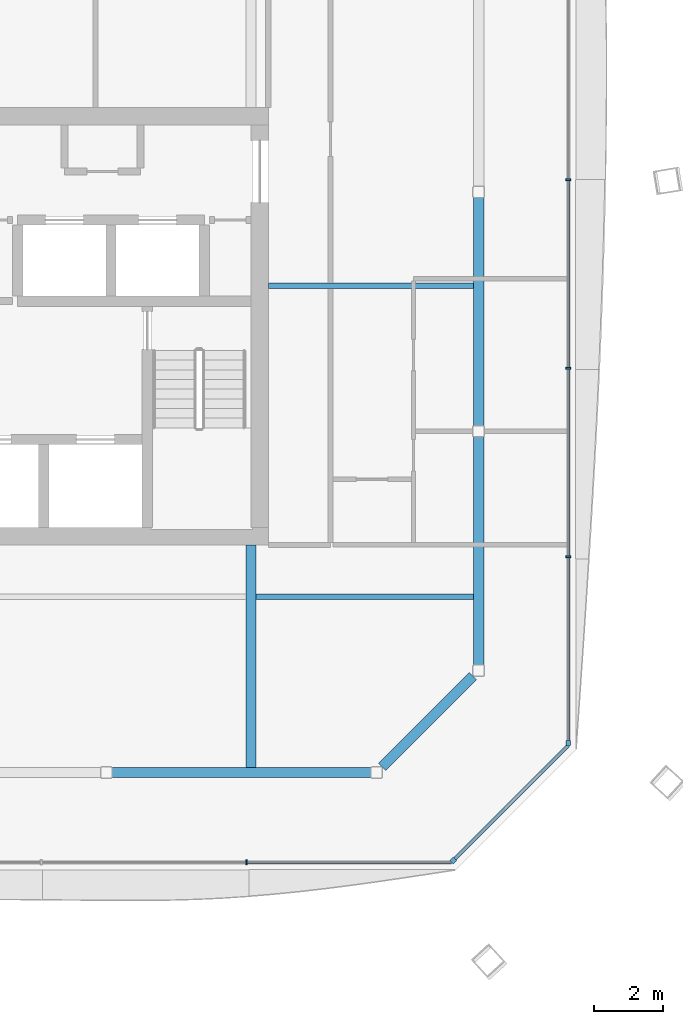
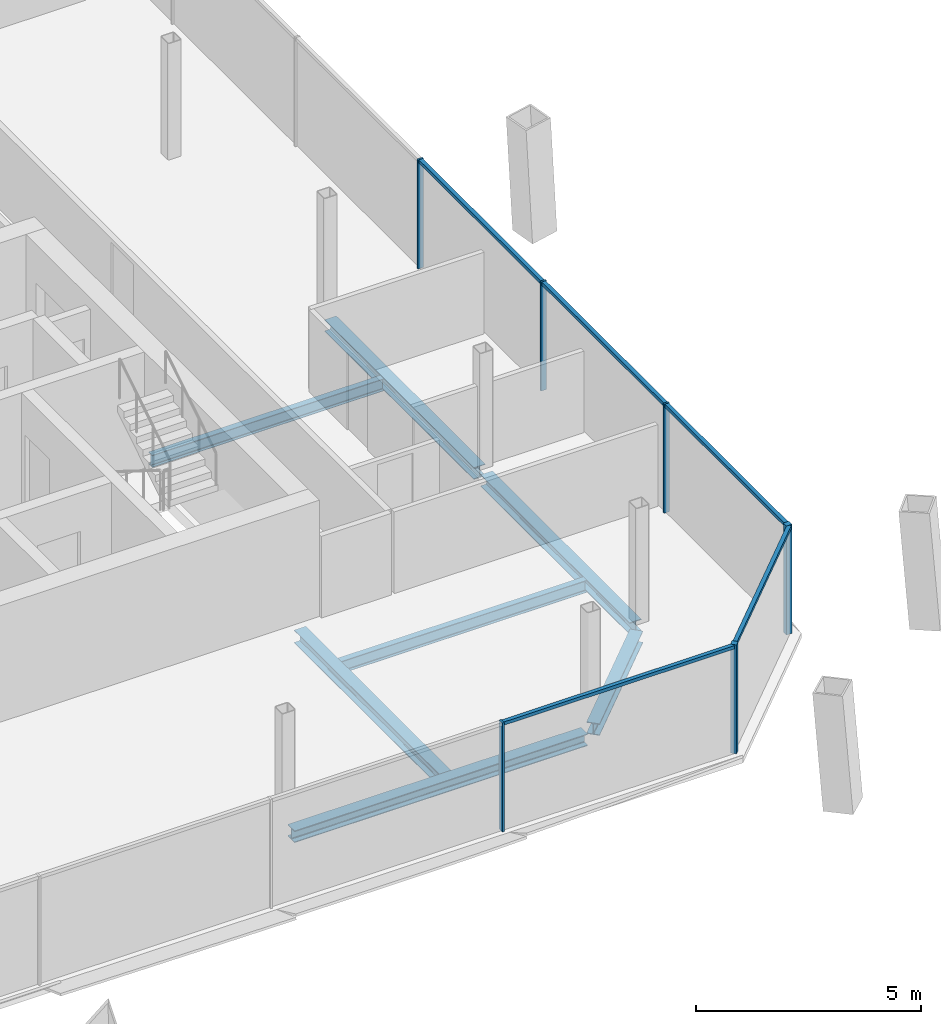
# One storey, part 8 of 20: 11 members, 7 beams, 3 elements without a shape of their own.
"""IFC4 building model written with IfcOpenShell, lengths in metres."""

from ifc_helpers import new_model, si_unit, direction, frame, origin, origin_2d, place, context, subcontext, project, spatial, rectangle, i_section, extrude, material, material_profile, profile_set, type_object, element, aggregate, save


model = new_model("IFC4")

# Units and contexts
model_context = context("Model", 3, precision=1e-05, world=origin(), true_north=direction((0.0, 1.0)))
body_context = subcontext(model_context, "Body", "Model", "MODEL_VIEW")
ifc_project = project(units=[si_unit("LENGTHUNIT", "METRE"), si_unit("AREAUNIT", "SQUARE_METRE"), si_unit("VOLUMEUNIT", "CUBIC_METRE"), si_unit("PLANEANGLEUNIT", "RADIAN"), si_unit("MASSUNIT", "GRAM", prefix="KILO")], contexts=[model_context])

# Site, building, storey
site_placement = place(None, origin())
site = spatial("IfcSite", under=ifc_project, at=site_placement, CompositionType="ELEMENT")
building_placement = place(site_placement, origin())
building = spatial("IfcBuilding", under=site, at=building_placement, Name="Tskaro Facet Tower", CompositionType="ELEMENT")
storey_placement = place(building_placement, frame((0.0, 0.0, 175.35009765625)))
storey = spatial("IfcBuildingStorey", under=building, at=storey_placement, Name="L43", CompositionType="ELEMENT", Elevation=175.35009765625)

# Curtain wall, member
ifc_material_1 = material(Name="Bronze anodised aluminium 6063-T6", Category="aluminium")
curtain_wall_type = type_object("IfcCurtainWallType", Name="Bronze residence curtain wall (FW3)", PredefinedType="NOTDEFINED", material=ifc_material_1)
curtain_wall_1_placement = place(storey_placement, origin())
curtain_wall_1 = element("IfcCurtainWall", 1, at=curtain_wall_1_placement, inside=storey, type_object=curtain_wall_type, Name="FW3 south-east facet L43", PredefinedType="NOTDEFINED")
ifc_material_profile_1 = material_profile(ifc_material_1, rectangle(XDim=0.139892578125, YDim=0.139892578125, at=origin_2d()), Name="Corner post 140x140")
ifc_profile_set_1 = profile_set([ifc_material_profile_1], Name="Bronze anodised aluminium 6063-T6")
member_type_1 = type_object("IfcMemberType", Name="FW3 bronze corner post 140x140", PredefinedType="MULLION", material=ifc_profile_set_1)
member_1_placement = place(storey_placement, frame((14.849609375, -21.12646484375, 0.0), z_axis=(0.0, 0.0, 1.0), x_axis=(0.707106781187, 0.707106781187, 0.0)))
member_1 = element("IfcMember", 2, at=member_1_placement, type_object=member_type_1, Name="FW3 south-east corner post", PredefinedType="MULLION", context=body_context, shape_type="SweptSolid", body=[
    extrude(rectangle(XDim=0.139892578125, YDim=0.139892578125, at=origin_2d()), origin(), (0.0, 0.0, 1.0), 2.949951171875),
])

curtain_wall_2_placement = place(storey_placement, origin())
curtain_wall_2 = element("IfcCurtainWall", 3, at=curtain_wall_2_placement, inside=storey, type_object=curtain_wall_type, Name="FW3 east facet L43", PredefinedType="NOTDEFINED")
member_2_placement = place(storey_placement, frame((18.176025390625, -17.72998046875, 0.0), z_axis=(0.0, 0.0, 1.0), x_axis=(0.0, 1.0, 0.0)))
member_2 = element("IfcMember", 4, at=member_2_placement, type_object=member_type_1, Name="FW3 east corner post", PredefinedType="MULLION", context=body_context, shape_type="SweptSolid", body=[
    extrude(rectangle(XDim=0.139892578125, YDim=0.139892578125, at=origin_2d()), origin(), (0.0, 0.0, 1.0), 2.949951171875),
])

curtain_wall_3_placement = place(storey_placement, origin())
curtain_wall_3 = element("IfcCurtainWall", 5, at=curtain_wall_3_placement, inside=storey, type_object=curtain_wall_type, Name="FW3 south facet L43", PredefinedType="NOTDEFINED")
ifc_material_profile_2 = material_profile(ifc_material_1, rectangle(XDim=0.050048828125, YDim=0.139892578125, at=origin_2d()), Name="Mullion 50x140")
ifc_profile_set_2 = profile_set([ifc_material_profile_2], Name="Bronze anodised aluminium 6063-T6")
member_type_2 = type_object("IfcMemberType", Name="FW3 bronze mullion 50x140", PredefinedType="MULLION", material=ifc_profile_set_2)
member_3_placement = place(storey_placement, frame((8.86669921875, -21.176025390625, 0.0), z_axis=(0.0, 0.0, 1.0), x_axis=(1.0, 0.0, 0.0)))
member_3 = element("IfcMember", 6, at=member_3_placement, type_object=member_type_2, Name="FW3 south mullion 5", PredefinedType="MULLION", context=body_context, shape_type="SweptSolid", body=[
    extrude(rectangle(XDim=0.050048828125, YDim=0.139892578125, at=origin_2d()), origin(), (0.0, 0.0, 1.0), 2.949951171875),
])

# Member
member_4_placement = place(storey_placement, frame((18.176025390625, -12.3447265625, 0.0), z_axis=(0.0, 0.0, 1.0), x_axis=(0.0, 1.0, 0.0)))
member_4 = element("IfcMember", 7, at=member_4_placement, type_object=member_type_2, Name="FW3 east mullion 1", PredefinedType="MULLION", context=body_context, shape_type="SweptSolid", body=[
    extrude(rectangle(XDim=0.050048828125, YDim=0.139892578125, at=origin_2d()), origin(), (0.0, 0.0, 1.0), 2.949951171875),
])

member_5_placement = place(storey_placement, frame((18.176025390625, -6.8896484375, 0.0), z_axis=(0.0, 0.0, 1.0), x_axis=(0.0, 1.0, 0.0)))
member_5 = element("IfcMember", 8, at=member_5_placement, type_object=member_type_2, Name="FW3 east mullion 2", PredefinedType="MULLION", context=body_context, shape_type="SweptSolid", body=[
    extrude(rectangle(XDim=0.050048828125, YDim=0.139892578125, at=origin_2d()), origin(), (0.0, 0.0, 1.0), 2.949951171875),
])

member_6_placement = place(storey_placement, frame((18.176025390625, -1.4345703125, 0.0), z_axis=(0.0, 0.0, 1.0), x_axis=(0.0, 1.0, 0.0)))
member_6 = element("IfcMember", 9, at=member_6_placement, type_object=member_type_2, Name="FW3 east mullion 3", PredefinedType="MULLION", context=body_context, shape_type="SweptSolid", body=[
    extrude(rectangle(XDim=0.050048828125, YDim=0.139892578125, at=origin_2d()), origin(), (0.0, 0.0, 1.0), 2.949951171875),
])

ifc_material_profile_3 = material_profile(ifc_material_1, rectangle(XDim=0.10009765625, YDim=0.090087890625, at=origin_2d()), Name="Transom 100x90")
ifc_profile_set_3 = profile_set([ifc_material_profile_3], Name="Bronze anodised aluminium 6063-T6")
member_type_3 = type_object("IfcMemberType", Name="FW3 bronze transom 100x90", PredefinedType="USERDEFINED", material=ifc_profile_set_3)
member_7_placement = place(storey_placement, frame((8.8916015625, -21.176025390625, 2.90478515625), z_axis=(1.0, 0.0, 0.0), x_axis=(0.0, 1.0, 0.0)))
member_7 = element("IfcMember", 10, at=member_7_placement, type_object=member_type_3, Name="FW3 south transom 6.1", ObjectType="TRANSOM", PredefinedType="USERDEFINED", context=body_context, shape_type="SweptSolid", body=[
    extrude(rectangle(XDim=0.10009765625, YDim=0.090087890625, at=origin_2d()), origin(), (0.0, 0.0, 1.0), 5.908447265625),
])

aggregate(curtain_wall_3, [member_3, member_7])

member_8_placement = place(storey_placement, frame((14.89892578125, -21.076904296875, 2.90478515625), z_axis=(0.707133121049, 0.707080440343, 0.0), x_axis=(-0.707080440343, 0.707133121049, 0.0)))
member_8 = element("IfcMember", 11, at=member_8_placement, type_object=member_type_3, Name="FW3 south-east transom 1.1", ObjectType="TRANSOM", PredefinedType="USERDEFINED", context=body_context, shape_type="SweptSolid", body=[
    extrude(rectangle(XDim=0.10009765625, YDim=0.090087890625, at=origin_2d()), origin(), (0.0, 0.0, 1.0), 4.63427734375),
])

aggregate(curtain_wall_1, [member_1, member_8])

member_9_placement = place(storey_placement, frame((18.176025390625, -17.659912109375, 2.90478515625), z_axis=(0.0, 1.0, 0.0), x_axis=(-1.0, 0.0, 0.0)))
member_9 = element("IfcMember", 12, at=member_9_placement, type_object=member_type_3, Name="FW3 east transom 1.1", ObjectType="TRANSOM", PredefinedType="USERDEFINED", context=body_context, shape_type="SweptSolid", body=[
    extrude(rectangle(XDim=0.10009765625, YDim=0.090087890625, at=origin_2d()), origin(), (0.0, 0.0, 1.0), 5.2900390625),
])

member_10_placement = place(storey_placement, frame((18.176025390625, -12.31982421875, 2.90478515625), z_axis=(0.0, 1.0, 0.0), x_axis=(-1.0, 0.0, 0.0)))
member_10 = element("IfcMember", 13, at=member_10_placement, type_object=member_type_3, Name="FW3 east transom 2.1", ObjectType="TRANSOM", PredefinedType="USERDEFINED", context=body_context, shape_type="SweptSolid", body=[
    extrude(rectangle(XDim=0.10009765625, YDim=0.090087890625, at=origin_2d()), origin(), (0.0, 0.0, 1.0), 5.4052734375),
])

member_11_placement = place(storey_placement, frame((18.176025390625, -6.86474609375, 2.90478515625), z_axis=(0.0, 1.0, 0.0), x_axis=(-1.0, 0.0, 0.0)))
member_11 = element("IfcMember", 14, at=member_11_placement, type_object=member_type_3, Name="FW3 east transom 3.1", ObjectType="TRANSOM", PredefinedType="USERDEFINED", context=body_context, shape_type="SweptSolid", body=[
    extrude(rectangle(XDim=0.10009765625, YDim=0.090087890625, at=origin_2d()), origin(), (0.0, 0.0, 1.0), 5.4052734375),
])

aggregate(curtain_wall_2, [member_2, member_4, member_5, member_6, member_9, member_10, member_11])

# Beams
ifc_material_2 = material(Name="Steel S355J2", Category="steel")
ifc_material_profile_4 = material_profile(ifc_material_2, i_section(OverallWidth=0.300048828125, OverallDepth=0.320068359375, WebThickness=0.011474609375, FlangeThickness=0.0205078125, FilletRadius=0.027099609375, at=origin_2d()), Name="HE 320 B")
ifc_profile_set_4 = profile_set([ifc_material_profile_4], Name="Steel S355J2")
beam_type_1 = type_object("IfcBeamType", Name="HE 320 B ring beam", PredefinedType="BEAM", material=ifc_profile_set_4)
beam_1_placement = place(storey_placement, frame((4.971923828125, -18.5830078125, -0.300048828125), z_axis=(1.0, 0.0, 0.0), x_axis=(0.0, 1.0, 0.0)))
element("IfcBeam", 15, at=beam_1_placement, inside=storey, type_object=beam_type_1, Name="HE 320 B EB4-4", PredefinedType="BEAM", context=body_context, shape_type="SweptSolid", body=[
    extrude(i_section(OverallWidth=0.300048828125, OverallDepth=0.320068359375, WebThickness=0.011474609375, FlangeThickness=0.0205078125, FilletRadius=0.027099609375, at=origin_2d()), origin(), (0.0, 0.0, 1.0), 7.506103515625),
])
beam_2_placement = place(storey_placement, frame((12.7939453125, -18.422119140625, -0.300048828125), z_axis=(0.707106781187, 0.707106781187, 0.0), x_axis=(-0.707106781187, 0.707106781187, 0.0)))
element("IfcBeam", 16, at=beam_2_placement, inside=storey, type_object=beam_type_1, Name="HE 320 B EB5-4", PredefinedType="BEAM", context=body_context, shape_type="SweptSolid", body=[
    extrude(i_section(OverallWidth=0.300048828125, OverallDepth=0.320068359375, WebThickness=0.011474609375, FlangeThickness=0.0205078125, FilletRadius=0.027099609375, at=origin_2d()), origin(), (0.0, 0.0, 1.0), 3.716796875),
])
for number, where, z_axis, x_axis, name in (
    (17, (15.5830078125, -15.47802734375, -0.300048828125), (0.0, 1.0, 0.0), (-1.0, 0.0, 0.0), "HE 320 B EB6-4"),
    (18, (15.5830078125, -8.55810546875, -0.300048828125), (0.0, 1.0, 0.0), (-1.0, 0.0, 0.0), "HE 320 B EB7-4"),
):
    element("IfcBeam", number, at=place(storey_placement, frame(where, z_axis=z_axis, x_axis=x_axis)), inside=storey, type_object=beam_type_1, Name=name, PredefinedType="BEAM", context=body_context, shape_type="SweptSolid", body=[
        extrude(i_section(OverallWidth=0.300048828125, OverallDepth=0.320068359375, WebThickness=0.011474609375, FlangeThickness=0.0205078125, FilletRadius=0.027099609375, at=origin_2d()), origin(), (0.0, 0.0, 1.0), 6.610107421875),
    ])
ifc_material_profile_5 = material_profile(ifc_material_2, i_section(OverallWidth=0.300048828125, OverallDepth=0.35009765625, WebThickness=0.010009765625, FlangeThickness=0.017578125, FilletRadius=0.027099609375, at=origin_2d()), Name="HE 360 A")
ifc_profile_set_5 = profile_set([ifc_material_profile_5], Name="Steel S355J2")
beam_type_2 = type_object("IfcBeamType", Name="HE 360 A girder", PredefinedType="BEAM", material=ifc_profile_set_5)
beam_3_placement = place(storey_placement, frame((9.0, -18.43310546875, -0.315185546875), z_axis=(0.0, 1.0, 0.0), x_axis=(-1.0, 0.0, 0.0)))
element("IfcBeam", 19, at=beam_3_placement, inside=storey, type_object=beam_type_2, Name="HE 360 A GB5-1-4", PredefinedType="BEAM", context=body_context, shape_type="SweptSolid", body=[
    extrude(i_section(OverallWidth=0.300048828125, OverallDepth=0.35009765625, WebThickness=0.010009765625, FlangeThickness=0.017578125, FilletRadius=0.027099609375, at=origin_2d()), origin(), (0.0, 0.0, 1.0), 6.43310546875),
])
ifc_material_profile_6 = material_profile(ifc_material_2, i_section(OverallWidth=0.159912109375, OverallDepth=0.330078125, WebThickness=0.007568359375, FlangeThickness=0.011474609375, FilletRadius=0.01806640625, at=origin_2d()), Name="IPE 330")
ifc_profile_set_6 = profile_set([ifc_material_profile_6], Name="Steel S355J2")
beam_type_3 = type_object("IfcBeamType", Name="IPE 330 secondary beam", PredefinedType="BEAM", material=ifc_profile_set_6)
beam_4_placement = place(storey_placement, frame((9.14990234375, -13.5, -0.30517578125), z_axis=(1.0, 0.0, 0.0), x_axis=(0.0, 1.0, 0.0)))
element("IfcBeam", 20, at=beam_4_placement, inside=storey, type_object=beam_type_3, Name="IPE 330 SB2a-5-4", PredefinedType="BEAM", context=body_context, shape_type="SweptSolid", body=[
    extrude(i_section(OverallWidth=0.159912109375, OverallDepth=0.330078125, WebThickness=0.007568359375, FlangeThickness=0.011474609375, FilletRadius=0.01806640625, at=origin_2d()), origin(), (0.0, 0.0, 1.0), 6.283203125),
])
beam_5_placement = place(storey_placement, frame((9.5, -4.5, -0.30517578125), z_axis=(1.0, 0.0, 0.0), x_axis=(0.0, 1.0, 0.0)))
element("IfcBeam", 21, at=beam_5_placement, inside=storey, type_object=beam_type_3, Name="IPE 330 SB3a-3-4", PredefinedType="BEAM", context=body_context, shape_type="SweptSolid", body=[
    extrude(i_section(OverallWidth=0.159912109375, OverallDepth=0.330078125, WebThickness=0.007568359375, FlangeThickness=0.011474609375, FilletRadius=0.01806640625, at=origin_2d()), origin(), (0.0, 0.0, 1.0), 5.93310546875),
])

save(model, "model.ifc")
